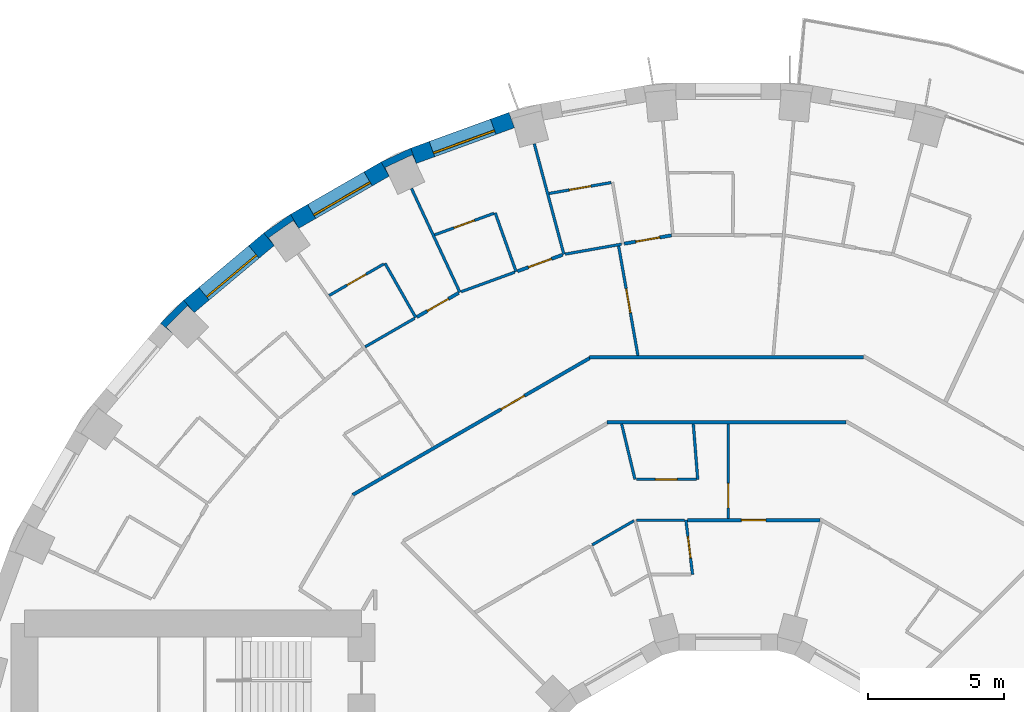
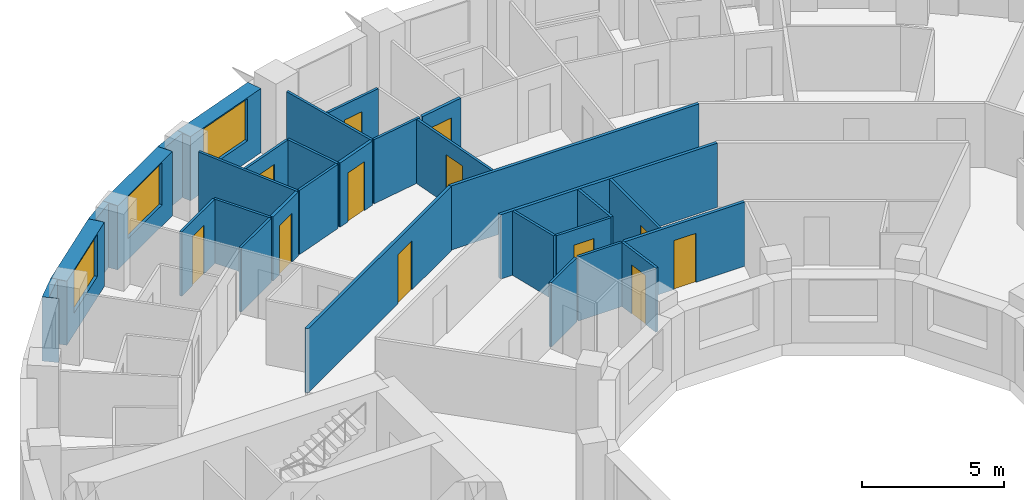
# One storey, part 11 of 15: 31 walls, 12 doors, 3 windows, 15 openings.
"""IFC4 building model written with IfcOpenShell, lengths in metres."""

from ifc_helpers import new_model, si_unit, direction, frame, frame_2d, origin, place, context, subcontext, project, spatial, polyline, rectangle, outline, extrude, material, layer, layer_set, type_object, element, fill, save


model = new_model("IFC4")

# Units and contexts
model_context = context("Model", 3, precision=1e-05, world=origin(), true_north=direction((0.0, 1.0)))
body_context = subcontext(model_context, "Body", "Model", "MODEL_VIEW")
ifc_project = project(units=[si_unit("LENGTHUNIT", "METRE"), si_unit("AREAUNIT", "SQUARE_METRE"), si_unit("VOLUMEUNIT", "CUBIC_METRE"), si_unit("PLANEANGLEUNIT", "RADIAN"), si_unit("MASSUNIT", "GRAM", prefix="KILO")], contexts=[model_context])

# Site, building, storey
site_placement = place(None, origin())
site = spatial("IfcSite", under=ifc_project, at=site_placement, CompositionType="ELEMENT")
building_placement = place(site_placement, origin())
building = spatial("IfcBuilding", under=site, at=building_placement, Name="Saqina Gate Tower", CompositionType="ELEMENT")
storey_placement = place(building_placement, frame((0.0, 0.0, 72.5)))
storey = spatial("IfcBuildingStorey", under=building, at=storey_placement, Name="L20", CompositionType="ELEMENT", Elevation=72.5)

# Walls
ifc_material_1 = material(Name="Brick masonry (red)", Category="masonry")
wall_type_1 = type_object("IfcWallType", Name="BRICK PIER COPING RED", PredefinedType="SOLIDWALL", material=ifc_material_1)
wall_1_placement = place(storey_placement, origin())
element("IfcWall", 1, at=wall_1_placement, inside=storey, type_object=wall_type_1, Name="Pier cap L20 column 12", PredefinedType="SOLIDWALL", context=body_context, shape_type="SweptSolid", body=[
    extrude(outline(polyline([(-12.779541015625, 25.980712890625), (-12.4794921875, 25.4609375), (-12.627685546875, 25.778564453125), (-11.630615234375, 26.243408203125), (-11.482666015625, 25.92578125), (-11.687744140625, 26.48974609375), (-12.779541015625, 25.980712890625)])), origin(), (0.0, 0.0, 1.0), 2.75),
])
wall_2_placement = place(storey_placement, origin())
element("IfcWall", 2, at=wall_2_placement, inside=storey, type_object=wall_type_1, Name="Pier cap L20 column 13", PredefinedType="SOLIDWALL", context=body_context, shape_type="SweptSolid", body=[
    extrude(outline(polyline([(-16.110107421875, 24.0576171875), (-17.096923828125, 23.36669921875), (-16.711181640625, 22.9072265625), (-16.912109375, 23.194091796875), (-16.010986328125, 23.8251953125), (-15.81005859375, 23.5380859375), (-16.110107421875, 24.0576171875)])), origin(), (0.0, 0.0, 1.0), 2.75),
])
wall_3_placement = place(storey_placement, origin())
element("IfcWall", 3, at=wall_3_placement, inside=storey, type_object=wall_type_1, Name="Pier cap L20 column 14", PredefinedType="SOLIDWALL", context=body_context, shape_type="SweptSolid", body=[
    extrude(outline(polyline([(-20.894775390625, 20.04296875), (-20.43505859375, 19.6572265625), (-20.682861328125, 19.905029296875), (-19.905029296875, 20.682861328125), (-19.6572265625, 20.43505859375), (-20.04296875, 20.894775390625), (-20.894775390625, 20.04296875)])), origin(), (0.0, 0.0, 1.0), 2.75),
])

# Wall, opening, window
ifc_material_2 = material(Name="Brick masonry (red)", Category="masonry")
ifc_layer_1 = layer(ifc_material_2, 0.60009765625)
ifc_layer_set_1 = layer_set([ifc_layer_1], Name="FW-BRICK-RED")
wall_type_2 = type_object("IfcWallType", Name="FW-BRICK-RED", PredefinedType="SOLIDWALL", material=ifc_layer_set_1)
wall_4_placement = place(storey_placement, frame((-7.97119140625, 27.523193359375, 0.0), z_axis=(0.0, 0.0, 1.0), x_axis=(-0.939689588564, -0.342028474173, 0.0)))
wall_4 = element("IfcWall", 4, at=wall_4_placement, inside=storey, type_object=wall_type_2, Name="Facade wall L20 facet 11", PredefinedType="SOLIDWALL", context=body_context, shape_type="SweptSolid", body=[
    extrude(rectangle(XDim=3.845947265625, YDim=0.60009765625, at=frame_2d((1.9228515625, 0.0))), origin(), (0.0, 0.0, 1.0), 2.75),
])
opening_1_placement = place(wall_4_placement, frame((0.722900390625, 0.0, 0.89990234375)))
opening_1 = element("IfcOpeningElement", 5, at=opening_1_placement, cuts=wall_4, Name="Opening G05-W05", PredefinedType="OPENING", context=body_context, shape_type="SweptSolid", body=[
    extrude(rectangle(XDim=2.39990234375, YDim=1.800048828125, at=frame_2d((1.199951171875, 0.89990234375))), frame((0.0, 0.31201171875, 0.0), z_axis=(0.0, -1.0, 0.0), x_axis=(1.0, 0.0, 0.0)), (0.0, 0.0, 1.0), 0.6240234375),
])
ifc_material_3 = material(Name="Aluminium glazing", Category="aluminium")
window_type = type_object("IfcWindowType", Name="WN-A", PartitioningType="SINGLE_PANEL", PredefinedType="WINDOW", material=ifc_material_3)
window_1_placement = place(opening_1_placement, origin())
window_1 = element("IfcWindow", 6, at=window_1_placement, inside=storey, type_object=window_type, Name="Window L20 facet 11", OverallHeight=1.800048828125, OverallWidth=2.39990234375, PartitioningType="SINGLE_PANEL", PredefinedType="WINDOW", context=body_context, shape_type="SweptSolid", body=[
    extrude(rectangle(XDim=2.39990234375, YDim=1.800048828125, at=frame_2d((1.199951171875, 0.89990234375))), frame((0.0, 0.179931640625, 0.0), z_axis=(0.0, -1.0, 0.0), x_axis=(1.0, 0.0, 0.0)), (0.0, 0.0, 1.0), 0.06005859375),
])
fill(opening_1, window_1)

wall_5_placement = place(storey_placement, frame((-12.629638671875, 25.720703125, 0.0), z_axis=(0.0, 0.0, 1.0), x_axis=(-0.86603124159, -0.499989888488, 0.0)))
wall_5 = element("IfcWall", 7, at=wall_5_placement, inside=storey, type_object=wall_type_2, Name="Facade wall L20 facet 12", PredefinedType="SOLIDWALL", context=body_context, shape_type="SweptSolid", body=[
    extrude(rectangle(XDim=3.845703125, YDim=0.60009765625, at=frame_2d((1.9228515625, 0.0))), origin(), (0.0, 0.0, 1.0), 2.75),
])
opening_2_placement = place(wall_5_placement, frame((0.722900390625, 0.0, 0.89990234375)))
opening_2 = element("IfcOpeningElement", 8, at=opening_2_placement, cuts=wall_5, Name="Opening G05-W06", PredefinedType="OPENING", context=body_context, shape_type="SweptSolid", body=[
    extrude(rectangle(XDim=2.39990234375, YDim=1.800048828125, at=frame_2d((1.199951171875, 0.89990234375))), frame((0.0, 0.31201171875, 0.0), z_axis=(0.0, -1.0, 0.0), x_axis=(1.0, 0.0, 0.0)), (0.0, 0.0, 1.0), 0.6240234375),
])
window_2_placement = place(opening_2_placement, origin())
window_2 = element("IfcWindow", 9, at=window_2_placement, inside=storey, type_object=window_type, Name="Window L20 facet 12", OverallHeight=1.800048828125, OverallWidth=2.39990234375, PartitioningType="SINGLE_PANEL", PredefinedType="WINDOW", context=body_context, shape_type="SweptSolid", body=[
    extrude(rectangle(XDim=2.39990234375, YDim=1.800048828125, at=frame_2d((1.199951171875, 0.89990234375))), frame((0.0, 0.179931640625, 0.0), z_axis=(0.0, -1.0, 0.0), x_axis=(1.0, 0.0, 0.0)), (0.0, 0.0, 1.0), 0.06005859375),
])
fill(opening_2, window_2)

wall_6_placement = place(storey_placement, frame((-16.904052734375, 23.136962890625, 0.0), z_axis=(0.0, 0.0, 1.0), x_axis=(-0.766026164483, -0.642809392687, 0.0)))
wall_6 = element("IfcWall", 10, at=wall_6_placement, inside=storey, type_object=wall_type_2, Name="Facade wall L20 facet 13", PredefinedType="SOLIDWALL", context=body_context, shape_type="SweptSolid", body=[
    extrude(rectangle(XDim=3.845947265625, YDim=0.60009765625, at=frame_2d((1.9228515625, 0.0))), origin(), (0.0, 0.0, 1.0), 2.75),
])
opening_3_placement = place(wall_6_placement, frame((0.722900390625, 0.0, 0.89990234375)))
opening_3 = element("IfcOpeningElement", 11, at=opening_3_placement, cuts=wall_6, Name="Opening G05-W07", PredefinedType="OPENING", context=body_context, shape_type="SweptSolid", body=[
    extrude(rectangle(XDim=2.39990234375, YDim=1.800048828125, at=frame_2d((1.199951171875, 0.89990234375))), frame((0.0, 0.31201171875, 0.0), z_axis=(0.0, -1.0, 0.0), x_axis=(1.0, 0.0, 0.0)), (0.0, 0.0, 1.0), 0.6240234375),
])
window_3_placement = place(opening_3_placement, origin())
window_3 = element("IfcWindow", 12, at=window_3_placement, inside=storey, type_object=window_type, Name="Window L20 facet 13", OverallHeight=1.800048828125, OverallWidth=2.39990234375, PartitioningType="SINGLE_PANEL", PredefinedType="WINDOW", context=body_context, shape_type="SweptSolid", body=[
    extrude(rectangle(XDim=2.39990234375, YDim=1.800048828125, at=frame_2d((1.199951171875, 0.89990234375))), frame((0.0, 0.179931640625, 0.0), z_axis=(0.0, -1.0, 0.0), x_axis=(1.0, 0.0, 0.0)), (0.0, 0.0, 1.0), 0.06005859375),
])
fill(opening_3, window_3)

# Wall
ifc_material_4 = material(Name="Gypsum board on steel studs, 100 mm", Category="steel")
ifc_layer_2 = layer(ifc_material_4, 0.10009765625)
ifc_layer_set_2 = layer_set([ifc_layer_2], Name="PARTITION 100")
wall_type_3 = type_object("IfcWallType", Name="PARTITION 100", PredefinedType="PARTITIONING", material=ifc_layer_set_2)
wall_7_placement = place(storey_placement, frame((-1.2861328125, 16.337646484375, 0.0), z_axis=(0.0, 0.0, 1.0), x_axis=(0.07883368514, -0.996887782093, 0.0)))
element("IfcWall", 13, at=wall_7_placement, inside=storey, type_object=wall_type_3, Name="PARTITION PW3-03", PredefinedType="PARTITIONING", context=body_context, shape_type="SweptSolid", body=[
    extrude(rectangle(XDim=2.0439453125, YDim=0.10009765625, at=frame_2d((1.02197265625, 0.0))), origin(), (0.0, 0.0, 1.0), 2.75),
])

# Wall, opening, door
wall_8_placement = place(storey_placement, frame((-1.55908203125, 12.800048828125, 0.0), z_axis=(0.0, 0.0, 1.0), x_axis=(0.1211708576, -0.992631665457, 0.0)))
wall_8 = element("IfcWall", 14, at=wall_8_placement, inside=storey, type_object=wall_type_3, Name="PARTITION PW3-07", PredefinedType="PARTITIONING", context=body_context, shape_type="SweptSolid", body=[
    extrude(rectangle(XDim=2.014892578125, YDim=0.10009765625, at=frame_2d((1.00732421875, 0.0))), origin(), (0.0, 0.0, 1.0), 2.75),
])
opening_4_placement = place(wall_8_placement, frame((0.607421875, 0.0, 0.0)))
opening_4 = element("IfcOpeningElement", 15, at=opening_4_placement, cuts=wall_8, Name="Opening G05-D15", PredefinedType="OPENING", context=body_context, shape_type="SweptSolid", body=[
    extrude(rectangle(XDim=0.800048828125, YDim=2.10009765625, at=frame_2d((0.39990234375, 1.050048828125))), frame((0.0, 0.06201171875, 0.0), z_axis=(0.0, -1.0, 0.0), x_axis=(1.0, 0.0, 0.0)), (0.0, 0.0, 1.0), 0.1240234375),
])
ifc_material_5 = material(Name="Timber door leaf, 800 mm", Category="wood")
door_type_1 = type_object("IfcDoorType", Name="DOOR 800 TIMBER", OperationType="SINGLE_SWING_LEFT", PredefinedType="DOOR", material=ifc_material_5)
door_1_placement = place(opening_4_placement, origin())
door_1 = element("IfcDoor", 16, at=door_1_placement, inside=storey, type_object=door_type_1, Name="DOOR G05-D15", OperationType="SINGLE_SWING_LEFT", OverallHeight=2.10009765625, OverallWidth=0.800048828125, PredefinedType="DOOR", context=body_context, shape_type="SweptSolid", body=[
    extrude(rectangle(XDim=0.800048828125, YDim=2.10009765625, at=frame_2d((0.39990234375, 1.050048828125))), frame((0.0, 0.02490234375, 0.0), z_axis=(0.0, -1.0, 0.0), x_axis=(1.0, 0.0, 0.0)), (0.0, 0.0, 1.0), 0.050048828125),
])
fill(opening_4, door_1)

wall_9_placement = place(storey_placement, frame((-4.035400390625, 22.88671875, 0.0), z_axis=(0.0, 0.0, 1.0), x_axis=(0.173584282426, -0.98481901733, 0.0)))
wall_9 = element("IfcWall", 17, at=wall_9_placement, inside=storey, type_object=wall_type_3, Name="PARTITION PW3-09", PredefinedType="PARTITIONING", context=body_context, shape_type="SweptSolid", body=[
    extrude(rectangle(XDim=4.087158203125, YDim=0.10009765625, at=frame_2d((2.04345703125, 0.0))), origin(), (0.0, 0.0, 1.0), 2.75),
])
opening_5_placement = place(wall_9_placement, frame((1.599853515625, 0.0, 0.0)))
opening_5 = element("IfcOpeningElement", 18, at=opening_5_placement, cuts=wall_9, Name="Opening G05-D18", PredefinedType="OPENING", context=body_context, shape_type="SweptSolid", body=[
    extrude(rectangle(XDim=0.89990234375, YDim=2.10009765625, at=frame_2d((0.449951171875, 1.050048828125))), frame((0.0, 0.06201171875, 0.0), z_axis=(0.0, -1.0, 0.0), x_axis=(1.0, 0.0, 0.0)), (0.0, 0.0, 1.0), 0.1240234375),
])
ifc_material_6 = material(Name="Timber door leaf, 900 mm", Category="wood")
door_type_2 = type_object("IfcDoorType", Name="DOOR 900 TIMBER", OperationType="SINGLE_SWING_LEFT", PredefinedType="DOOR", material=ifc_material_6)
door_2_placement = place(opening_5_placement, frame((0.89990234375, 0.0, 0.0), z_axis=(0.0, 0.0, 1.0), x_axis=(-1.0, 0.0, 0.0)))
door_2 = element("IfcDoor", 19, at=door_2_placement, inside=storey, type_object=door_type_2, Name="DOOR G05-D18", OperationType="SINGLE_SWING_LEFT", OverallHeight=2.10009765625, OverallWidth=0.89990234375, PredefinedType="DOOR", context=body_context, shape_type="SweptSolid", body=[
    extrude(rectangle(XDim=0.89990234375, YDim=2.10009765625, at=frame_2d((0.449951171875, 1.050048828125))), frame((0.0, 0.02490234375, 0.0), z_axis=(0.0, -1.0, 0.0), x_axis=(1.0, 0.0, 0.0)), (0.0, 0.0, 1.0), 0.050048828125),
])
fill(opening_5, door_2)

# Walls
wall_10_placement = place(storey_placement, frame((-3.92431640625, 16.339111328125, 0.0), z_axis=(0.0, 0.0, 1.0), x_axis=(0.233760395351, -0.972294234049, 0.0)))
element("IfcWall", 20, at=wall_10_placement, inside=storey, type_object=wall_type_3, Name="PARTITION PW3-11", PredefinedType="PARTITIONING", context=body_context, shape_type="SweptSolid", body=[
    extrude(rectangle(XDim=2.09716796875, YDim=0.10009765625, at=frame_2d((1.048583984375, 0.0))), origin(), (0.0, 0.0, 1.0), 2.75),
])
wall_11_placement = place(storey_placement, frame((-7.14013671875, 26.650146484375, 0.0), z_axis=(0.0, 0.0, 1.0), x_axis=(0.258611481132, -0.965981418986, 0.0)))
element("IfcWall", 21, at=wall_11_placement, inside=storey, type_object=wall_type_3, Name="PARTITION PW3-12", PredefinedType="PARTITIONING", context=body_context, shape_type="SweptSolid", body=[
    extrude(rectangle(XDim=4.21142578125, YDim=0.10009765625, at=frame_2d((2.105712890625, 0.0))), origin(), (0.0, 0.0, 1.0), 2.75),
])
wall_12_placement = place(storey_placement, frame((-8.5791015625, 24.10888671875, 0.0), z_axis=(0.0, 0.0, 1.0), x_axis=(0.335206501266, -0.942144681835, 0.0)))
element("IfcWall", 22, at=wall_12_placement, inside=storey, type_object=wall_type_3, Name="PARTITION PW3-15", PredefinedType="PARTITIONING", context=body_context, shape_type="SweptSolid", body=[
    extrude(rectangle(XDim=2.300048828125, YDim=0.10009765625, at=frame_2d((1.14990234375, 0.0))), origin(), (0.0, 0.0, 1.0), 2.75),
])
wall_13_placement = place(storey_placement, frame((-11.659912109375, 25.005126953125, 0.0), z_axis=(0.0, 0.0, 1.0), x_axis=(0.422631582156, -0.906301575506, 0.0)))
element("IfcWall", 23, at=wall_13_placement, inside=storey, type_object=wall_type_3, Name="PARTITION PW3-19", PredefinedType="PARTITIONING", context=body_context, shape_type="SweptSolid", body=[
    extrude(rectangle(XDim=4.211669921875, YDim=0.10009765625, at=frame_2d((2.10595703125, 0.0))), origin(), (0.0, 0.0, 1.0), 2.75),
])
wall_14_placement = place(storey_placement, frame((-12.635009765625, 22.2529296875, 0.0), z_axis=(0.0, 0.0, 1.0), x_axis=(0.493564284385, -0.869709317634, 0.0)))
element("IfcWall", 24, at=wall_14_placement, inside=storey, type_object=wall_type_3, Name="PARTITION PW3-21", PredefinedType="PARTITIONING", context=body_context, shape_type="SweptSolid", body=[
    extrude(rectangle(XDim=2.299560546875, YDim=0.10009765625, at=frame_2d((1.14990234375, 0.0))), origin(), (0.0, 0.0, 1.0), 2.75),
])
wall_15_placement = place(storey_placement, frame((-3.3798828125, 12.800048828125, 0.0), z_axis=(0.0, 0.0, 1.0), x_axis=(1.0, 0.0, 0.0)))
element("IfcWall", 25, at=wall_15_placement, inside=storey, type_object=wall_type_3, Name="PARTITION PW3-63", PredefinedType="PARTITIONING", context=body_context, shape_type="SweptSolid", body=[
    extrude(rectangle(XDim=1.77099609375, YDim=0.10009765625, at=frame_2d((0.885498046875, 0.0))), origin(), (0.0, 0.0, 1.0), 2.75),
])

# Wall, opening, door
wall_16_placement = place(storey_placement, frame((-3.384033203125, 14.300048828125, 0.0), z_axis=(0.0, 0.0, 1.0), x_axis=(1.0, 0.0, 0.0)))
wall_16 = element("IfcWall", 26, at=wall_16_placement, inside=storey, type_object=wall_type_3, Name="PARTITION PW3-64", PredefinedType="PARTITIONING", context=body_context, shape_type="SweptSolid", body=[
    extrude(rectangle(XDim=2.208984375, YDim=0.10009765625, at=frame_2d((1.1044921875, 0.0))), origin(), (0.0, 0.0, 1.0), 2.75),
])
opening_6_placement = place(wall_16_placement, frame((0.70458984375, 0.0, 0.0)))
opening_6 = element("IfcOpeningElement", 27, at=opening_6_placement, cuts=wall_16, Name="Opening G05-D17", PredefinedType="OPENING", context=body_context, shape_type="SweptSolid", body=[
    extrude(rectangle(XDim=0.800048828125, YDim=2.10009765625, at=frame_2d((0.39990234375, 1.050048828125))), frame((0.0, 0.06201171875, 0.0), z_axis=(0.0, -1.0, 0.0), x_axis=(1.0, 0.0, 0.0)), (0.0, 0.0, 1.0), 0.1240234375),
])
door_3_placement = place(opening_6_placement, frame((0.800048828125, 0.0, 0.0), z_axis=(0.0, 0.0, 1.0), x_axis=(-1.0, 0.0, 0.0)))
door_3 = element("IfcDoor", 28, at=door_3_placement, inside=storey, type_object=door_type_1, Name="DOOR G05-D17", OperationType="SINGLE_SWING_LEFT", OverallHeight=2.10009765625, OverallWidth=0.800048828125, PredefinedType="DOOR", context=body_context, shape_type="SweptSolid", body=[
    extrude(rectangle(XDim=0.800048828125, YDim=2.10009765625, at=frame_2d((0.39990234375, 1.050048828125))), frame((0.0, 0.02490234375, 0.0), z_axis=(0.0, -1.0, 0.0), x_axis=(1.0, 0.0, 0.0)), (0.0, 0.0, 1.0), 0.050048828125),
])
fill(opening_6, door_3)

# Wall
wall_17_placement = place(storey_placement, frame((-6.001708984375, 22.590576171875, 0.0), z_axis=(0.0, 0.0, 1.0), x_axis=(0.984798730273, 0.173699340392, 0.0)))
element("IfcWall", 29, at=wall_17_placement, inside=storey, type_object=wall_type_3, Name="PARTITION PW3-69", PredefinedType="PARTITIONING", context=body_context, shape_type="SweptSolid", body=[
    extrude(rectangle(XDim=2.10546875, YDim=0.10009765625, at=frame_2d((1.052734375, 0.0))), origin(), (0.0, 0.0, 1.0), 2.75),
])

# Wall, opening, door
wall_18_placement = place(storey_placement, frame((-6.598876953125, 24.82080078125, 0.0), z_axis=(0.0, 0.0, 1.0), x_axis=(0.984793079882, 0.173731372577, 0.0)))
wall_18 = element("IfcWall", 30, at=wall_18_placement, inside=storey, type_object=wall_type_3, Name="PARTITION PW3-70", PredefinedType="PARTITIONING", context=body_context, shape_type="SweptSolid", body=[
    extrude(rectangle(XDim=2.322998046875, YDim=0.10009765625, at=frame_2d((1.16162109375, 0.0))), origin(), (0.0, 0.0, 1.0), 2.75),
])
opening_7_placement = place(wall_18_placement, frame((0.761474609375, 0.0, 0.0)))
opening_7 = element("IfcOpeningElement", 31, at=opening_7_placement, cuts=wall_18, Name="Opening G05-D19", PredefinedType="OPENING", context=body_context, shape_type="SweptSolid", body=[
    extrude(rectangle(XDim=0.800048828125, YDim=2.10009765625, at=frame_2d((0.39990234375, 1.050048828125))), frame((0.0, 0.06201171875, 0.0), z_axis=(0.0, -1.0, 0.0), x_axis=(1.0, 0.0, 0.0)), (0.0, 0.0, 1.0), 0.1240234375),
])
door_4_placement = place(opening_7_placement, origin())
door_4 = element("IfcDoor", 32, at=door_4_placement, inside=storey, type_object=door_type_1, Name="DOOR G05-D19", OperationType="SINGLE_SWING_LEFT", OverallHeight=2.10009765625, OverallWidth=0.800048828125, PredefinedType="DOOR", context=body_context, shape_type="SweptSolid", body=[
    extrude(rectangle(XDim=0.800048828125, YDim=2.10009765625, at=frame_2d((0.39990234375, 1.050048828125))), frame((0.0, 0.02490234375, 0.0), z_axis=(0.0, -1.0, 0.0), x_axis=(1.0, 0.0, 0.0)), (0.0, 0.0, 1.0), 0.050048828125),
])
fill(opening_7, door_4)

# Wall
wall_19_placement = place(storey_placement, frame((-9.8330078125, 21.205078125, 0.0), z_axis=(0.0, 0.0, 1.0), x_axis=(0.939725675468, 0.341929312674, 0.0)))
element("IfcWall", 33, at=wall_19_placement, inside=storey, type_object=wall_type_3, Name="PARTITION PW3-73", PredefinedType="PARTITIONING", context=body_context, shape_type="SweptSolid", body=[
    extrude(rectangle(XDim=2.10498046875, YDim=0.10009765625, at=frame_2d((1.052490234375, 0.0))), origin(), (0.0, 0.0, 1.0), 2.75),
])

# Wall, opening, door
wall_20_placement = place(storey_placement, frame((-10.808837890625, 23.298095703125, 0.0), z_axis=(0.0, 0.0, 1.0), x_axis=(0.939802630001, 0.341717744115, 0.0)))
wall_20 = element("IfcWall", 34, at=wall_20_placement, inside=storey, type_object=wall_type_3, Name="PARTITION PW3-74", PredefinedType="PARTITIONING", context=body_context, shape_type="SweptSolid", body=[
    extrude(rectangle(XDim=2.32275390625, YDim=0.10009765625, at=frame_2d((1.161376953125, 0.0))), origin(), (0.0, 0.0, 1.0), 2.75),
])
opening_8_placement = place(wall_20_placement, frame((0.76123046875, 0.0, 0.0)))
opening_8 = element("IfcOpeningElement", 35, at=opening_8_placement, cuts=wall_20, Name="Opening G05-D21", PredefinedType="OPENING", context=body_context, shape_type="SweptSolid", body=[
    extrude(rectangle(XDim=0.800048828125, YDim=2.10009765625, at=frame_2d((0.39990234375, 1.050048828125))), frame((0.0, 0.06201171875, 0.0), z_axis=(0.0, -1.0, 0.0), x_axis=(1.0, 0.0, 0.0)), (0.0, 0.0, 1.0), 0.1240234375),
])
door_5_placement = place(opening_8_placement, origin())
door_5 = element("IfcDoor", 36, at=door_5_placement, inside=storey, type_object=door_type_1, Name="DOOR G05-D21", OperationType="SINGLE_SWING_LEFT", OverallHeight=2.10009765625, OverallWidth=0.800048828125, PredefinedType="DOOR", context=body_context, shape_type="SweptSolid", body=[
    extrude(rectangle(XDim=0.800048828125, YDim=2.10009765625, at=frame_2d((0.39990234375, 1.050048828125))), frame((0.0, 0.02490234375, 0.0), z_axis=(0.0, -1.0, 0.0), x_axis=(1.0, 0.0, 0.0)), (0.0, 0.0, 1.0), 0.050048828125),
])
fill(opening_8, door_5)

# Walls
wall_21_placement = place(storey_placement, frame((-5.006591796875, 11.888916015625, 0.0), z_axis=(0.0, 0.0, 1.0), x_axis=(0.865831892385, 0.500335021889, 0.0)))
element("IfcWall", 37, at=wall_21_placement, inside=storey, type_object=wall_type_3, Name="PARTITION PW3-79", PredefinedType="PARTITIONING", context=body_context, shape_type="SweptSolid", body=[
    extrude(rectangle(XDim=1.770751953125, YDim=0.10009765625, at=frame_2d((0.88525390625, 0.0))), origin(), (0.0, 0.0, 1.0), 2.75),
])
wall_22_placement = place(storey_placement, frame((-13.36572265625, 19.176025390625, 0.0), z_axis=(0.0, 0.0, 1.0), x_axis=(0.866071606143, 0.499919966627, 0.0)))
element("IfcWall", 38, at=wall_22_placement, inside=storey, type_object=wall_type_3, Name="PARTITION PW3-81", PredefinedType="PARTITIONING", context=body_context, shape_type="SweptSolid", body=[
    extrude(rectangle(XDim=2.104248046875, YDim=0.10009765625, at=frame_2d((1.05224609375, 0.0))), origin(), (0.0, 0.0, 1.0), 2.75),
])

# Wall, opening, door
wall_23_placement = place(storey_placement, frame((-14.690673828125, 21.06689453125, 0.0), z_axis=(0.0, 0.0, 1.0), x_axis=(0.866166342301, 0.499755807835, 0.0)))
wall_23 = element("IfcWall", 39, at=wall_23_placement, inside=storey, type_object=wall_type_3, Name="PARTITION PW3-82", PredefinedType="PARTITIONING", context=body_context, shape_type="SweptSolid", body=[
    extrude(rectangle(XDim=2.323486328125, YDim=0.10009765625, at=frame_2d((1.16162109375, 0.0))), origin(), (0.0, 0.0, 1.0), 2.75),
])
opening_9_placement = place(wall_23_placement, frame((0.76171875, 0.0, 0.0)))
opening_9 = element("IfcOpeningElement", 40, at=opening_9_placement, cuts=wall_23, Name="Opening G05-D26", PredefinedType="OPENING", context=body_context, shape_type="SweptSolid", body=[
    extrude(rectangle(XDim=0.800048828125, YDim=2.10009765625, at=frame_2d((0.39990234375, 1.050048828125))), frame((0.0, 0.06201171875, 0.0), z_axis=(0.0, -1.0, 0.0), x_axis=(1.0, 0.0, 0.0)), (0.0, 0.0, 1.0), 0.1240234375),
])
door_6_placement = place(opening_9_placement, origin())
door_6 = element("IfcDoor", 41, at=door_6_placement, inside=storey, type_object=door_type_1, Name="DOOR G05-D26", OperationType="SINGLE_SWING_LEFT", OverallHeight=2.10009765625, OverallWidth=0.800048828125, PredefinedType="DOOR", context=body_context, shape_type="SweptSolid", body=[
    extrude(rectangle(XDim=0.800048828125, YDim=2.10009765625, at=frame_2d((0.39990234375, 1.050048828125))), frame((0.0, 0.02490234375, 0.0), z_axis=(0.0, -1.0, 0.0), x_axis=(1.0, 0.0, 0.0)), (0.0, 0.0, 1.0), 0.050048828125),
])
fill(opening_9, door_6)

wall_24_placement = place(storey_placement, frame((0.0, 12.862548828125, 0.0), z_axis=(0.0, 0.0, 1.0), x_axis=(0.0, 1.0, 0.0)))
wall_24 = element("IfcWall", 42, at=wall_24_placement, inside=storey, type_object=wall_type_3, Name="PARTITION PW3-115", PredefinedType="PARTITIONING", context=body_context, shape_type="SweptSolid", body=[
    extrude(rectangle(XDim=3.474853515625, YDim=0.10009765625, at=frame_2d((1.7373046875, 0.0))), origin(), (0.0, 0.0, 1.0), 2.75),
])
opening_10_placement = place(wall_24_placement, frame((0.387451171875, 0.0, 0.0)))
opening_10 = element("IfcOpeningElement", 43, at=opening_10_placement, cuts=wall_24, Name="Opening G05-D13", PredefinedType="OPENING", context=body_context, shape_type="SweptSolid", body=[
    extrude(rectangle(XDim=0.89990234375, YDim=2.10009765625, at=frame_2d((0.449951171875, 1.050048828125))), frame((0.0, 0.06201171875, 0.0), z_axis=(0.0, -1.0, 0.0), x_axis=(1.0, 0.0, 0.0)), (0.0, 0.0, 1.0), 0.1240234375),
])
door_7_placement = place(opening_10_placement, origin())
door_7 = element("IfcDoor", 44, at=door_7_placement, inside=storey, type_object=door_type_2, Name="DOOR G05-D13", OperationType="SINGLE_SWING_LEFT", OverallHeight=2.10009765625, OverallWidth=0.89990234375, PredefinedType="DOOR", context=body_context, shape_type="SweptSolid", body=[
    extrude(rectangle(XDim=0.89990234375, YDim=2.10009765625, at=frame_2d((0.449951171875, 1.050048828125))), frame((0.0, 0.02490234375, 0.0), z_axis=(0.0, -1.0, 0.0), x_axis=(1.0, 0.0, 0.0)), (0.0, 0.0, 1.0), 0.050048828125),
])
fill(opening_10, door_7)

ifc_material_7 = material(Name="Gypsum board on steel studs, 125 mm, fire rated", Category="steel")
ifc_layer_3 = layer(ifc_material_7, 0.125)
ifc_layer_set_3 = layer_set([ifc_layer_3], Name="PARTITION EI 30 125")
wall_type_4 = type_object("IfcWallType", Name="PARTITION EI 30 125", PredefinedType="PARTITIONING", material=ifc_layer_set_3)
wall_25_placement = place(storey_placement, frame((-1.509033203125, 12.800048828125, 0.0), z_axis=(0.0, 0.0, 1.0), x_axis=(1.0, 0.0, 0.0)))
wall_25 = element("IfcWall", 45, at=wall_25_placement, inside=storey, type_object=wall_type_4, Name="PARTITION PW1-23", PredefinedType="PARTITIONING", context=body_context, shape_type="SweptSolid", body=[
    extrude(rectangle(XDim=4.87646484375, YDim=0.125, at=frame_2d((2.438232421875, 0.0))), origin(), (0.0, 0.0, 1.0), 2.75),
])
opening_11_placement = place(wall_25_placement, frame((1.994384765625, 0.0, 0.0)))
opening_11 = element("IfcOpeningElement", 46, at=opening_11_placement, cuts=wall_25, Name="Opening G05-D11", PredefinedType="OPENING", context=body_context, shape_type="SweptSolid", body=[
    extrude(rectangle(XDim=0.89990234375, YDim=2.10009765625, at=frame_2d((0.449951171875, 1.050048828125))), frame((0.0, 0.074462890625, 0.0), z_axis=(0.0, -1.0, 0.0), x_axis=(1.0, 0.0, 0.0)), (0.0, 0.0, 1.0), 0.14892578125),
])
ifc_material_8 = material(Name="Fire door leaf EI 30, 900 mm")
door_type_3 = type_object("IfcDoorType", Name="DOOR 900 EI 30", OperationType="SINGLE_SWING_LEFT", PredefinedType="DOOR", material=ifc_material_8)
door_8_placement = place(opening_11_placement, origin())
door_8 = element("IfcDoor", 47, at=door_8_placement, inside=storey, type_object=door_type_3, Name="DOOR G05-D11", OperationType="SINGLE_SWING_LEFT", OverallHeight=2.10009765625, OverallWidth=0.89990234375, PredefinedType="DOOR", context=body_context, shape_type="SweptSolid", body=[
    extrude(rectangle(XDim=0.89990234375, YDim=2.10009765625, at=frame_2d((0.449951171875, 1.050048828125))), frame((0.0, 0.02490234375, 0.0), z_axis=(0.0, -1.0, 0.0), x_axis=(1.0, 0.0, 0.0)), (0.0, 0.0, 1.0), 0.050048828125),
])
fill(opening_11, door_8)

# Walls
wall_26_placement = place(storey_placement, frame((-4.466064453125, 16.39990234375, 0.0), z_axis=(0.0, 0.0, 1.0), x_axis=(1.0, 0.0, 0.0)))
element("IfcWall", 48, at=wall_26_placement, inside=storey, type_object=wall_type_4, Name="PARTITION PW1-24", PredefinedType="PARTITIONING", context=body_context, shape_type="SweptSolid", body=[
    extrude(rectangle(XDim=8.797607421875, YDim=0.125, at=frame_2d((4.39892578125, 0.0))), origin(), (0.0, 0.0, 1.0), 2.75),
])
wall_27_placement = place(storey_placement, frame((-5.109130859375, 18.800048828125, 0.0), z_axis=(0.0, 0.0, 1.0), x_axis=(1.0, 0.0, 0.0)))
element("IfcWall", 49, at=wall_27_placement, inside=storey, type_object=wall_type_4, Name="PARTITION PW1-25", PredefinedType="PARTITIONING", context=body_context, shape_type="SweptSolid", body=[
    extrude(rectangle(XDim=10.083740234375, YDim=0.125, at=frame_2d((5.0419921875, 0.0))), origin(), (0.0, 0.0, 1.0), 2.75),
])

# Wall, opening, door
wall_28_placement = place(storey_placement, frame((-3.829833984375, 22.9736328125, 0.0), z_axis=(0.0, 0.0, 1.0), x_axis=(0.98477522439, 0.17383255572, 0.0)))
wall_28 = element("IfcWall", 50, at=wall_28_placement, inside=storey, type_object=wall_type_4, Name="PARTITION PW1-28", PredefinedType="PARTITIONING", context=body_context, shape_type="SweptSolid", body=[
    extrude(rectangle(XDim=1.76953125, YDim=0.125, at=frame_2d((0.884765625, 0.0))), origin(), (0.0, 0.0, 1.0), 2.75),
])
opening_12_placement = place(wall_28_placement, frame((0.434814453125, 0.0, 0.0)))
opening_12 = element("IfcOpeningElement", 51, at=opening_12_placement, cuts=wall_28, Name="Opening G05-D16", PredefinedType="OPENING", context=body_context, shape_type="SweptSolid", body=[
    extrude(rectangle(XDim=0.89990234375, YDim=2.10009765625, at=frame_2d((0.449951171875, 1.050048828125))), frame((0.0, 0.074462890625, 0.0), z_axis=(0.0, -1.0, 0.0), x_axis=(1.0, 0.0, 0.0)), (0.0, 0.0, 1.0), 0.14892578125),
])
door_9_placement = place(opening_12_placement, frame((0.89990234375, 0.0, 0.0), z_axis=(0.0, 0.0, 1.0), x_axis=(-1.0, 0.0, 0.0)))
door_9 = element("IfcDoor", 52, at=door_9_placement, inside=storey, type_object=door_type_3, Name="DOOR G05-D16", OperationType="SINGLE_SWING_LEFT", OverallHeight=2.10009765625, OverallWidth=0.89990234375, PredefinedType="DOOR", context=body_context, shape_type="SweptSolid", body=[
    extrude(rectangle(XDim=0.89990234375, YDim=2.10009765625, at=frame_2d((0.449951171875, 1.050048828125))), frame((0.0, 0.02490234375, 0.0), z_axis=(0.0, -1.0, 0.0), x_axis=(1.0, 0.0, 0.0)), (0.0, 0.0, 1.0), 0.050048828125),
])
fill(opening_12, door_9)

wall_29_placement = place(storey_placement, frame((-7.760986328125, 21.959228515625, 0.0), z_axis=(0.0, 0.0, 1.0), x_axis=(0.939620127684, 0.342219250849, 0.0)))
wall_29 = element("IfcWall", 53, at=wall_29_placement, inside=storey, type_object=wall_type_4, Name="PARTITION PW1-30", PredefinedType="PARTITIONING", context=body_context, shape_type="SweptSolid", body=[
    extrude(rectangle(XDim=1.77001953125, YDim=0.125, at=frame_2d((0.885009765625, 0.0))), origin(), (0.0, 0.0, 1.0), 2.75),
])
opening_13_placement = place(wall_29_placement, frame((0.43505859375, 0.0, 0.0)))
opening_13 = element("IfcOpeningElement", 54, at=opening_13_placement, cuts=wall_29, Name="Opening G05-D20", PredefinedType="OPENING", context=body_context, shape_type="SweptSolid", body=[
    extrude(rectangle(XDim=0.89990234375, YDim=2.10009765625, at=frame_2d((0.449951171875, 1.050048828125))), frame((0.0, 0.074462890625, 0.0), z_axis=(0.0, -1.0, 0.0), x_axis=(1.0, 0.0, 0.0)), (0.0, 0.0, 1.0), 0.14892578125),
])
door_10_placement = place(opening_13_placement, frame((0.89990234375, 0.0, 0.0), z_axis=(0.0, 0.0, 1.0), x_axis=(-1.0, 0.0, 0.0)))
door_10 = element("IfcDoor", 55, at=door_10_placement, inside=storey, type_object=door_type_3, Name="DOOR G05-D20", OperationType="SINGLE_SWING_LEFT", OverallHeight=2.10009765625, OverallWidth=0.89990234375, PredefinedType="DOOR", context=body_context, shape_type="SweptSolid", body=[
    extrude(rectangle(XDim=0.89990234375, YDim=2.10009765625, at=frame_2d((0.449951171875, 1.050048828125))), frame((0.0, 0.02490234375, 0.0), z_axis=(0.0, -1.0, 0.0), x_axis=(1.0, 0.0, 0.0)), (0.0, 0.0, 1.0), 0.050048828125),
])
fill(opening_13, door_10)

wall_30_placement = place(storey_placement, frame((-13.825439453125, 13.726806640625, 0.0), z_axis=(0.0, 0.0, 1.0), x_axis=(0.866059817553, 0.499940388867, 0.0)))
wall_30 = element("IfcWall", 56, at=wall_30_placement, inside=storey, type_object=wall_type_4, Name="PARTITION PW1-36", PredefinedType="PARTITIONING", context=body_context, shape_type="SweptSolid", body=[
    extrude(rectangle(XDim=10.085205078125, YDim=0.125, at=frame_2d((5.04248046875, 0.0))), origin(), (0.0, 0.0, 1.0), 2.75),
])
opening_14_placement = place(wall_30_placement, frame((6.30615234375, 0.0, 0.0)))
opening_14 = element("IfcOpeningElement", 57, at=opening_14_placement, cuts=wall_30, Name="Opening G05-D23", PredefinedType="OPENING", context=body_context, shape_type="SweptSolid", body=[
    extrude(rectangle(XDim=1.0, YDim=2.10009765625, at=frame_2d((0.5, 1.050048828125))), frame((0.0, 0.074462890625, 0.0), z_axis=(0.0, -1.0, 0.0), x_axis=(1.0, 0.0, 0.0)), (0.0, 0.0, 1.0), 0.14892578125),
])
ifc_material_9 = material(Name="Fire door leaf EI 30, 1000 mm")
door_type_4 = type_object("IfcDoorType", Name="DOOR 1000 EI 30", OperationType="SINGLE_SWING_LEFT", PredefinedType="DOOR", material=ifc_material_9)
door_11_placement = place(opening_14_placement, origin())
door_11 = element("IfcDoor", 58, at=door_11_placement, inside=storey, type_object=door_type_4, Name="DOOR G05-D23", OperationType="SINGLE_SWING_RIGHT", OverallHeight=2.10009765625, OverallWidth=1.0, PredefinedType="DOOR", context=body_context, shape_type="SweptSolid", body=[
    extrude(rectangle(XDim=1.0, YDim=2.10009765625, at=frame_2d((0.5, 1.050048828125))), frame((0.0, 0.02490234375, 0.0), z_axis=(0.0, -1.0, 0.0), x_axis=(1.0, 0.0, 0.0)), (0.0, 0.0, 1.0), 0.050048828125),
])
fill(opening_14, door_11)

wall_31_placement = place(storey_placement, frame((-11.456787109375, 20.278076171875, 0.0), z_axis=(0.0, 0.0, 1.0), x_axis=(0.86610522661, 0.499861717316, 0.0)))
wall_31 = element("IfcWall", 59, at=wall_31_placement, inside=storey, type_object=wall_type_4, Name="PARTITION PW1-37", PredefinedType="PARTITIONING", context=body_context, shape_type="SweptSolid", body=[
    extrude(rectangle(XDim=1.7705078125, YDim=0.125, at=frame_2d((0.88525390625, 0.0))), origin(), (0.0, 0.0, 1.0), 2.75),
])
opening_15_placement = place(wall_31_placement, frame((0.435302734375, 0.0, 0.0)))
opening_15 = element("IfcOpeningElement", 60, at=opening_15_placement, cuts=wall_31, Name="Opening G05-D24", PredefinedType="OPENING", context=body_context, shape_type="SweptSolid", body=[
    extrude(rectangle(XDim=0.89990234375, YDim=2.10009765625, at=frame_2d((0.449951171875, 1.050048828125))), frame((0.0, 0.074462890625, 0.0), z_axis=(0.0, -1.0, 0.0), x_axis=(1.0, 0.0, 0.0)), (0.0, 0.0, 1.0), 0.14892578125),
])
door_12_placement = place(opening_15_placement, frame((0.89990234375, 0.0, 0.0), z_axis=(0.0, 0.0, 1.0), x_axis=(-1.0, 0.0, 0.0)))
door_12 = element("IfcDoor", 61, at=door_12_placement, inside=storey, type_object=door_type_3, Name="DOOR G05-D24", OperationType="SINGLE_SWING_LEFT", OverallHeight=2.10009765625, OverallWidth=0.89990234375, PredefinedType="DOOR", context=body_context, shape_type="SweptSolid", body=[
    extrude(rectangle(XDim=0.89990234375, YDim=2.10009765625, at=frame_2d((0.449951171875, 1.050048828125))), frame((0.0, 0.02490234375, 0.0), z_axis=(0.0, -1.0, 0.0), x_axis=(1.0, 0.0, 0.0)), (0.0, 0.0, 1.0), 0.050048828125),
])
fill(opening_15, door_12)

save(model, "model.ifc")
